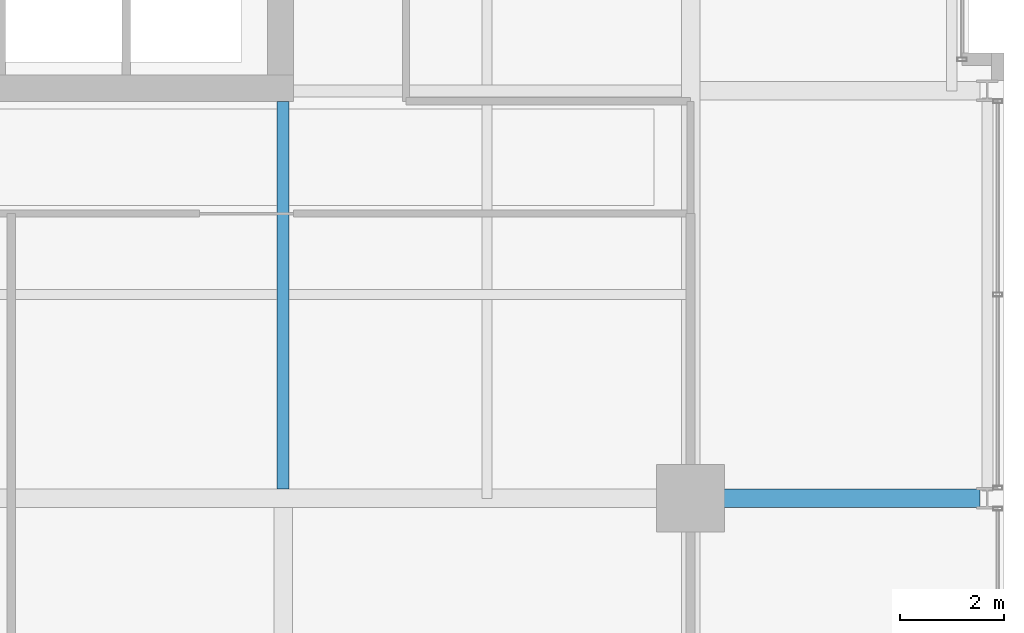
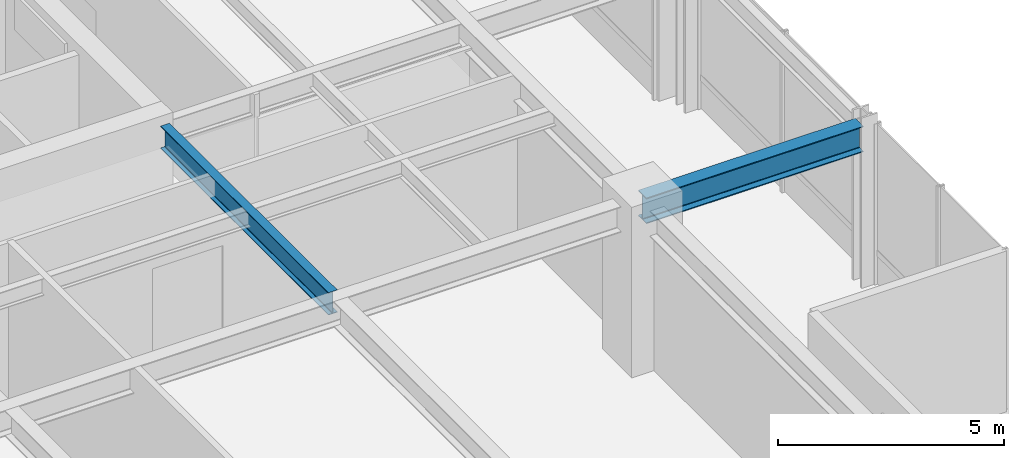
# One storey, part 12 of 32: 2 beams.
"""IFC4 building model written with IfcOpenShell, lengths in metres."""

from ifc_helpers import new_model, si_unit, direction, frame, origin, origin_2d, place, context, subcontext, project, spatial, i_section, extrude, material, material_profile, profile_set, type_object, element, save


model = new_model("IFC4")

# Units and contexts
model_context = context("Model", 3, precision=1e-05, world=origin(), true_north=direction((0.0, 1.0)))
body_context = subcontext(model_context, "Body", "Model", "MODEL_VIEW")
ifc_project = project(units=[si_unit("LENGTHUNIT", "METRE"), si_unit("AREAUNIT", "SQUARE_METRE"), si_unit("VOLUMEUNIT", "CUBIC_METRE"), si_unit("PLANEANGLEUNIT", "RADIAN"), si_unit("MASSUNIT", "GRAM", prefix="KILO")], contexts=[model_context])

# Site, building, storey
site_placement = place(None, origin())
site = spatial("IfcSite", under=ifc_project, at=site_placement, CompositionType="ELEMENT")
building_placement = place(site_placement, origin())
building = spatial("IfcBuilding", under=site, at=building_placement, Name="Drelvath Grand Hotel", CompositionType="ELEMENT")
storey_placement = place(building_placement, frame((0.0, 0.0, 145.800048828125)))
storey = spatial("IfcBuildingStorey", under=building, at=storey_placement, Name="L37", CompositionType="ELEMENT", Elevation=145.800048828125)

# Beams
ifc_material = material(Name="Steel ASTM A992 Gr 50", Category="steel")
ifc_material_profile_1 = material_profile(ifc_material, i_section(OverallWidth=0.228271484375, OverallDepth=0.607666015625, WebThickness=0.01123046875, FlangeThickness=0.017333984375, FilletRadius=0.02001953125, at=origin_2d()), Name="W24X76")
ifc_profile_set_1 = profile_set([ifc_material_profile_1], Name="Steel ASTM A992 Gr 50")
beam_type_1 = type_object("IfcBeamType", Name="Primary Floor Girder W24X76", PredefinedType="BEAM", material=ifc_profile_set_1)
beam_1_placement = place(storey_placement, frame((8.39990234375, 10.977294921875, 4.0361328125), z_axis=(0.0, 1.0, 0.0), x_axis=(-1.0, 0.0, 0.0)))
element("IfcBeam", 1, at=beam_1_placement, inside=storey, type_object=beam_type_1, Name="L37 South Core Tie 6", PredefinedType="BEAM", context=body_context, shape_type="SweptSolid", body=[
    extrude(i_section(OverallWidth=0.228271484375, OverallDepth=0.607666015625, WebThickness=0.01123046875, FlangeThickness=0.017333984375, FilletRadius=0.02001953125, at=origin_2d()), origin(), (0.0, 0.0, 1.0), 7.422607421875),
])
ifc_material_profile_2 = material_profile(ifc_material, i_section(OverallWidth=0.354736328125, OverallDepth=0.695556640625, WebThickness=0.015380859375, FlangeThickness=0.025146484375, FilletRadius=0.02392578125, at=origin_2d()), Name="W27X146")
ifc_profile_set_2 = profile_set([ifc_material_profile_2], Name="Steel ASTM A992 Gr 50")
beam_type_2 = type_object("IfcBeamType", Name="Primary Floor Girder W27X146", PredefinedType="BEAM", material=ifc_profile_set_2)
beam_2_placement = place(storey_placement, frame((16.199951171875, 10.800048828125, 3.9921875), z_axis=(1.0, 0.0, 0.0), x_axis=(0.0, 1.0, 0.0)))
element("IfcBeam", 2, at=beam_2_placement, inside=storey, type_object=beam_type_2, Name="L37 East Grid Girder C", PredefinedType="BEAM", context=body_context, shape_type="SweptSolid", body=[
    extrude(i_section(OverallWidth=0.354736328125, OverallDepth=0.695556640625, WebThickness=0.015380859375, FlangeThickness=0.025146484375, FilletRadius=0.02392578125, at=origin_2d()), origin(), (0.0, 0.0, 1.0), 5.5400390625),
])

save(model, "model.ifc")
